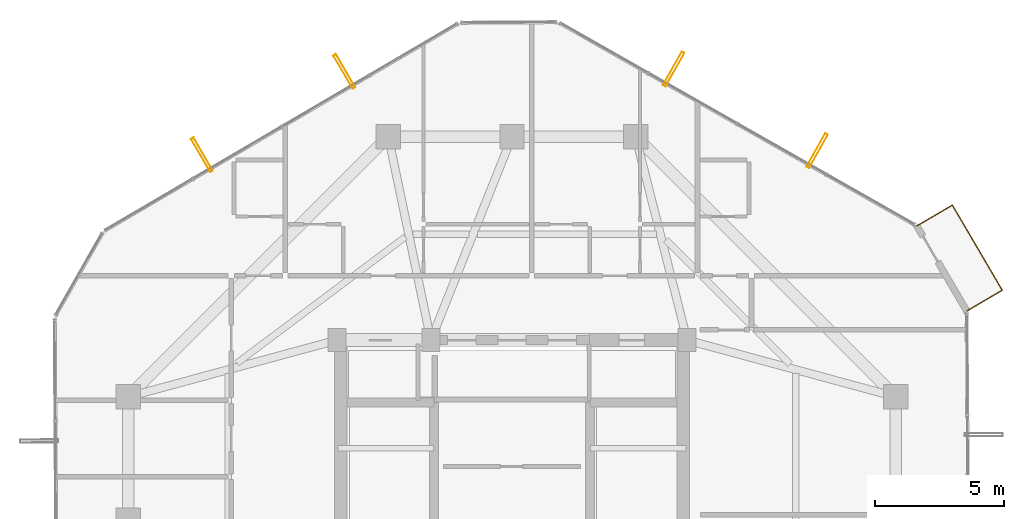
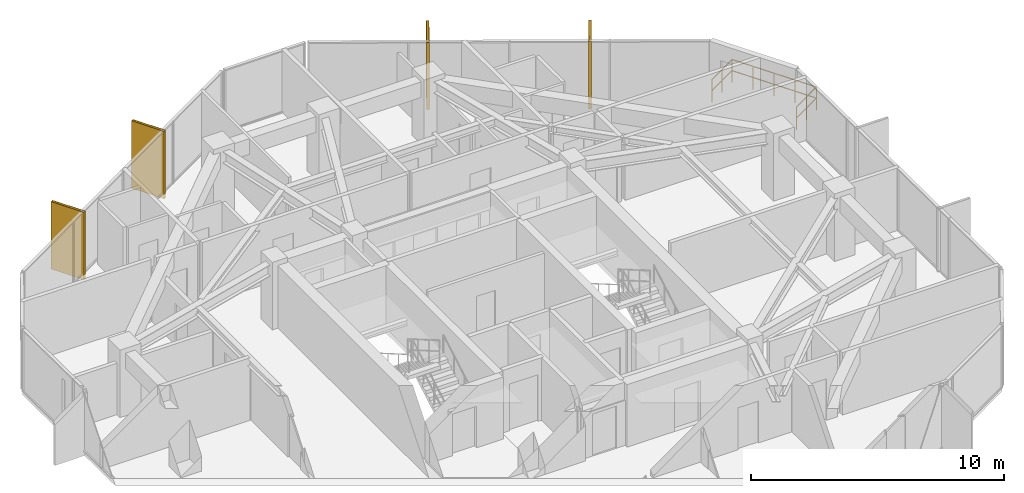
# One storey, part 31 of 31: 4 shading devices, 1 railing.
"""IFC4 building model written with IfcOpenShell, lengths in metres."""

from ifc_helpers import new_model, si_unit, direction, frame, origin, origin_2d, place, context, subcontext, project, spatial, hollow_rectangle, circle, extrude, material, material_profile, profile_set, type_object, element, save


model = new_model("IFC4")

# Units and contexts
model_context = context("Model", 3, precision=1e-05, world=origin(), true_north=direction((0.0, 1.0)))
body_context = subcontext(model_context, "Body", "Model", "MODEL_VIEW")
ifc_project = project(units=[si_unit("LENGTHUNIT", "METRE"), si_unit("AREAUNIT", "SQUARE_METRE"), si_unit("VOLUMEUNIT", "CUBIC_METRE"), si_unit("PLANEANGLEUNIT", "RADIAN"), si_unit("MASSUNIT", "GRAM", prefix="KILO")], contexts=[model_context])

# Site, building, storey
site_placement = place(None, origin())
site = spatial("IfcSite", under=ifc_project, at=site_placement, CompositionType="ELEMENT")
building_placement = place(site_placement, origin())
building = spatial("IfcBuilding", under=site, at=building_placement, Name="Veraguas Prism Commons", CompositionType="ELEMENT")
storey_placement = place(building_placement, frame((0.0, 0.0, 204.85009765625)))
storey = spatial("IfcBuildingStorey", under=building, at=storey_placement, Name="L58", CompositionType="ELEMENT", Elevation=204.85009765625)

# Shading devices
ifc_material_1 = material(Name="Anodised aluminium EN AW-6063 T6", Category="aluminium")
ifc_material_profile = material_profile(ifc_material_1, hollow_rectangle(XDim=0.1201171875, YDim=1.489990234375, WallThickness=0.006103515625, at=origin_2d()), Name="FIN120X1490X6")
ifc_profile_set = profile_set([ifc_material_profile], Name="Anodised aluminium EN AW-6063 T6")
shading_device_type = type_object("IfcShadingDeviceType", Name="Deep Pale-Metal Vertical Solar Fin 120x1490", PredefinedType="USERDEFINED", material=ifc_profile_set)
for number, where, z_axis, x_axis, name in (
    (1, (35.847900390625, 38.35546875, -0.215087890625), (0.0, 0.0, 1.0), (-0.869321595676, 0.494246864726, 0.0), "Vertical Pale-Metal Solar Fin L58-F1A"),
    (2, (30.2763671875, 41.52294921875, -0.215087890625), (0.0, 0.0, 1.0), (-0.869321595676, 0.494246864726, 0.0), "Vertical Pale-Metal Solar Fin L58-F1B"),
    (3, (17.49169921875, 41.438232421875, -0.215087890625), (0.0, 0.0, 1.0), (-0.862689373091, -0.505734164908, 0.0), "Vertical Pale-Metal Solar Fin L58-F2A"),
    (4, (11.962890625, 38.197021484375, -0.215087890625), (0.0, 0.0, 1.0), (-0.862689373091, -0.505734164908, 0.0), "Vertical Pale-Metal Solar Fin L58-F2B"),
):
    element("IfcShadingDevice", number, at=place(storey_placement, frame(where, z_axis=z_axis, x_axis=x_axis)), inside=storey, type_object=shading_device_type, Name=name, ObjectType="FIN", PredefinedType="USERDEFINED", context=body_context, shape_type="SweptSolid", body=[
        extrude(hollow_rectangle(XDim=0.1201171875, YDim=1.489990234375, WallThickness=0.006103515625, at=origin_2d()), origin(), (0.0, 0.0, 1.0), 3.25),
    ])

# Railing
ifc_material_2 = material(Name="Stainless steel AISI 316", Category="steel")
railing_type = type_object("IfcRailingType", Name="Loggia and Sky Pool Glazed Balustrade 1120", PredefinedType="BALUSTRADE", material=ifc_material_2)
railing_placement = place(storey_placement, frame((41.65673828125, 32.12841796875, 0.0)))
element("IfcRailing", 5, at=railing_placement, inside=storey, type_object=railing_type, Name="Recessed Corner Loggia L58-C1 Guard", PredefinedType="BALUSTRADE", context=body_context, shape_type="SweptSolid", body=[
    extrude(circle(Radius=0.02392578125, at=origin_2d()), frame((0.0, 0.0, 1.09619140625), z_axis=(0.86265894614, 0.505786064106, 0.0), x_axis=(-0.505786064106, 0.86265894614, 0.0)), (0.0, 0.0, 1.0), 1.60009765625),
    extrude(circle(Radius=0.02392578125, at=origin_2d()), frame((0.0, 0.0, 0.56005859375), z_axis=(0.86265894614, 0.505786064106, 0.0), x_axis=(-0.505786064106, 0.86265894614, 0.0)), (0.0, 0.0, 1.0), 1.60009765625),
    extrude(circle(Radius=0.02392578125, at=origin_2d()), frame((1.38037109375, 0.809326171875, 1.09619140625), z_axis=(-0.505742376182, 0.862684559346, 0.0), x_axis=(-0.862684559346, -0.505742376182, 0.0)), (0.0, 0.0, 1.0), 3.83447265625),
    extrude(circle(Radius=0.02392578125, at=origin_2d()), frame((1.38037109375, 0.809326171875, 0.56005859375), z_axis=(-0.505742376182, 0.862684559346, 0.0), x_axis=(-0.862684559346, -0.505742376182, 0.0)), (0.0, 0.0, 1.0), 3.83447265625),
    extrude(circle(Radius=0.02392578125, at=origin_2d()), frame((-0.558837890625, 4.1171875, 1.09619140625), z_axis=(-0.86265894614, -0.505786064106, 0.0), x_axis=(0.505786064106, -0.86265894614, 0.0)), (0.0, 0.0, 1.0), 1.60009765625),
    extrude(circle(Radius=0.02392578125, at=origin_2d()), frame((-0.558837890625, 4.1171875, 0.56005859375), z_axis=(-0.86265894614, -0.505786064106, 0.0), x_axis=(0.505786064106, -0.86265894614, 0.0)), (0.0, 0.0, 1.0), 1.60009765625),
    extrude(circle(Radius=0.02099609375, at=origin_2d()), origin(), (0.0, 0.0, 1.0), 1.072021484375),
    extrude(circle(Radius=0.02099609375, at=origin_2d()), frame((0.690185546875, 0.40478515625, 0.0)), (0.0, 0.0, 1.0), 1.072021484375),
    extrude(circle(Radius=0.02099609375, at=origin_2d()), frame((1.38037109375, 0.809326171875, 0.0)), (0.0, 0.0, 1.0), 1.072021484375),
    extrude(circle(Radius=0.02099609375, at=origin_2d()), frame((0.8955078125, 1.63623046875, 0.0)), (0.0, 0.0, 1.0), 1.072021484375),
    extrude(circle(Radius=0.02099609375, at=origin_2d()), frame((0.41064453125, 2.46337890625, 0.0)), (0.0, 0.0, 1.0), 1.072021484375),
    extrude(circle(Radius=0.02099609375, at=origin_2d()), frame((-0.073974609375, 3.290283203125, 0.0)), (0.0, 0.0, 1.0), 1.072021484375),
    extrude(circle(Radius=0.02099609375, at=origin_2d()), frame((-0.558837890625, 4.1171875, 0.0)), (0.0, 0.0, 1.0), 1.072021484375),
    extrude(circle(Radius=0.02099609375, at=origin_2d()), frame((-1.2490234375, 3.71240234375, 0.0)), (0.0, 0.0, 1.0), 1.072021484375),
    extrude(circle(Radius=0.02099609375, at=origin_2d()), frame((-1.939208984375, 3.307861328125, 0.0)), (0.0, 0.0, 1.0), 1.072021484375),
])

save(model, "model.ifc")
